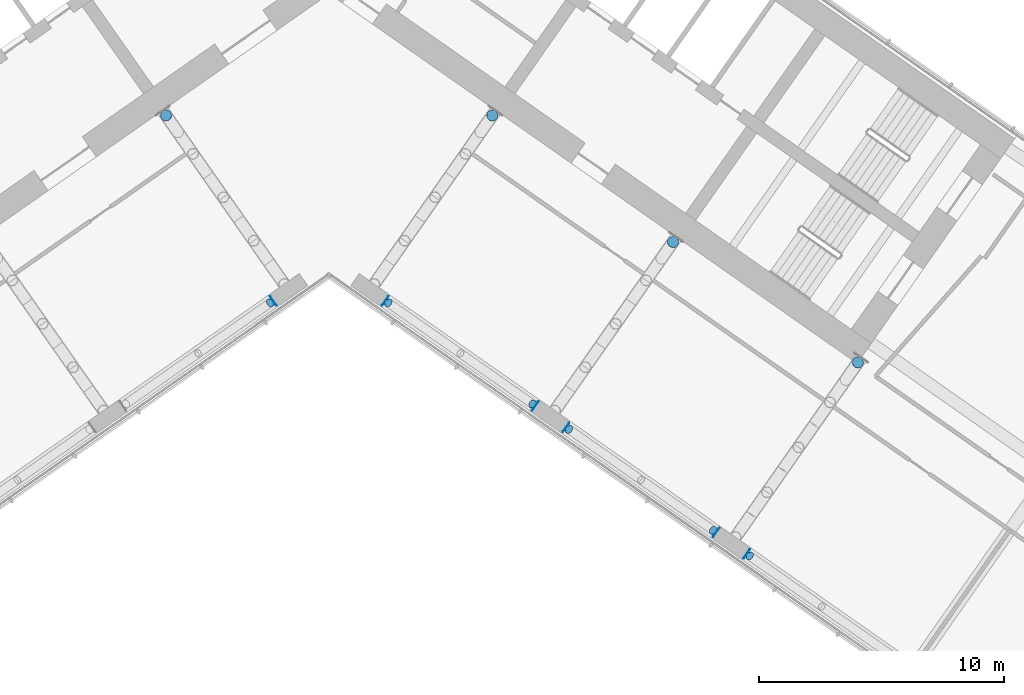
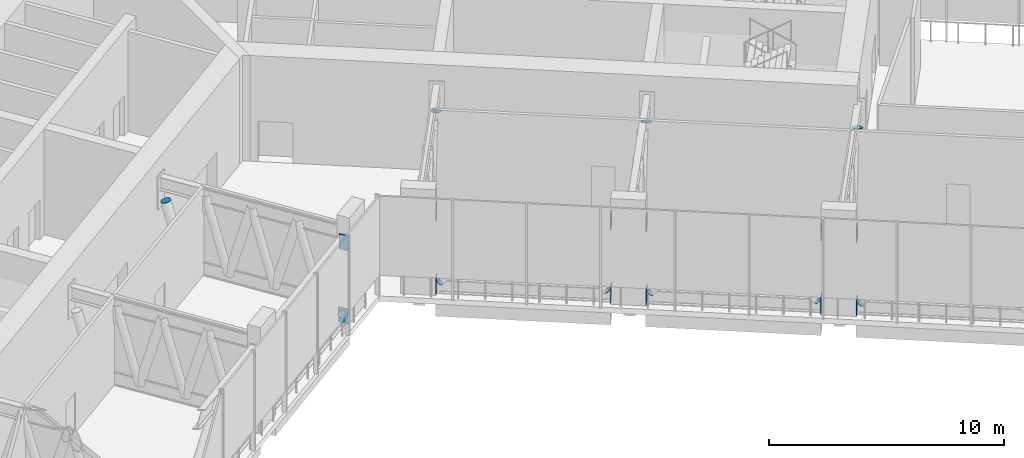
# One storey, part 14 of 24: 22 discrete accessories.
"""IFC4 building model written with IfcOpenShell, lengths in metres."""

import ifcopenshell
import ifcopenshell.guid

model = None  # the IFC model being written
_history = None  # IfcOwnerHistory: only IFC2X3 demands one
_inside = {}  # id of a spatial element -> (the spatial element, [elements in it])
_under = {}  # id of a project, library or spatial element -> (it, [spatial elements below it])
_declared = {}  # id of a project -> (the project, [libraries it declares])
_typed = {}  # id of a type object -> (the type object, [elements of that type])
_made_of = {}  # id of a material, layer set ... -> (it, [elements and type objects made of it])


def new_model(schema):
    """Start an empty IFC model of exactly this schema.

    Asked for "IFC4X3", IfcOpenShell would pick the latest addendum, in which some entities
    have other attributes; the version numbers below select the first issue.
    IFC2X3 requires an IfcOwnerHistory on every rooted entity: one is made here for all.
    """
    global model, _history
    if schema == "IFC4X3":
        model = ifcopenshell.file(schema_version=(4, 3, 0, 0))
    else:
        model = ifcopenshell.file(schema=schema)
    _inside.clear()
    _under.clear()
    _declared.clear()
    _typed.clear()
    _made_of.clear()
    _history = None
    if model.schema == "IFC2X3":
        org = make("IfcOrganization", Name="unknown")
        user = make(
            "IfcPersonAndOrganization",
            ThePerson=make("IfcPerson", FamilyName="unknown"),
            TheOrganization=org,
        )
        app = make(
            "IfcApplication",
            ApplicationDeveloper=org,
            Version="unknown",
            ApplicationFullName="unknown",
            ApplicationIdentifier="unknown",
        )
        _history = make(
            "IfcOwnerHistory",
            OwningUser=user,
            OwningApplication=app,
            ChangeAction="ADDED",
            CreationDate=0,
        )
    return model


def make(cls, **values):
    """One entity of the class cls with the attributes given. An attribute that is None is left unset."""
    return model.create_entity(
        cls, **{name: value for name, value in values.items() if value is not None}
    )


def rooted(cls, **values):
    """An entity with a GlobalId (a new one), such as an element, a storey or a relation."""
    return make(cls, GlobalId=ifcopenshell.guid.new(), OwnerHistory=_history, **values)


def si_unit(unit_type, name, prefix=None):
    """IfcSIUnit, for example si_unit("LENGTHUNIT", "METRE", prefix="MILLI")."""
    return make("IfcSIUnit", UnitType=unit_type, Prefix=prefix, Name=name)


def assignment(units):
    """IfcUnitAssignment: the units of a project."""
    return None if units is None else make("IfcUnitAssignment", Units=units)


def point(xyz):
    """IfcCartesianPoint."""
    return None if xyz is None else make("IfcCartesianPoint", Coordinates=xyz)


def direction(xyz):
    """IfcDirection."""
    return None if xyz is None else make("IfcDirection", DirectionRatios=xyz)


def frame(location, z_axis=None, x_axis=None):
    """IfcAxis2Placement3D, a coordinate frame: its origin and axes. An axis left out is left unset."""
    return make(
        "IfcAxis2Placement3D",
        Location=point(location),
        Axis=direction(z_axis),
        RefDirection=direction(x_axis),
    )


def frame_2d(location, x_axis=None):
    """IfcAxis2Placement2D, a coordinate frame in the plane: its origin and x axis."""
    return make(
        "IfcAxis2Placement2D", Location=point(location), RefDirection=direction(x_axis)
    )


def origin():
    """The frame at (0, 0, 0) with its axes left unset."""
    return frame((0.0, 0.0, 0.0))


def origin_2d():
    """The frame at (0, 0) in the plane with its x axis left unset."""
    return frame_2d((0.0, 0.0))


def place(relative_to, where):
    """IfcLocalPlacement: puts the frame where relative to a parent placement (None: the world)."""
    return make(
        "IfcLocalPlacement", PlacementRelTo=relative_to, RelativePlacement=where
    )


def context(
    kind, dimensions, precision=None, world=None, true_north=None, identifier=None
):
    """IfcGeometricRepresentationContext, for example the 3D "Model" context."""
    return make(
        "IfcGeometricRepresentationContext",
        ContextIdentifier=identifier,
        ContextType=kind,
        CoordinateSpaceDimension=dimensions,
        Precision=precision,
        WorldCoordinateSystem=world,
        TrueNorth=true_north,
    )


def subcontext(parent, identifier, kind, view, scale=None):
    """IfcGeometricRepresentationSubContext, for example "Body" below "Model"."""
    return make(
        "IfcGeometricRepresentationSubContext",
        ContextIdentifier=identifier,
        ContextType=kind,
        ParentContext=parent,
        TargetScale=scale,
        TargetView=view,
    )


def project(units=None, contexts=None):
    """IfcProject with its units and contexts."""
    return rooted(
        "IfcProject",
        Name="project",
        RepresentationContexts=contexts,
        UnitsInContext=assignment(units),
    )


def spatial(cls, under=None, at=None, **own):
    """A site, building, storey or space (cls), placed at a placement, below another one or the project."""
    s = rooted(cls, ObjectPlacement=at, **own)
    if under is not None:
        _under.setdefault(under.id(), (under, []))[1].append(s)
    return s


def profile(cls, at=None, kind="AREA", **sizes):
    """A parametric profile (cls). Its sizes go by their IFC names, for example OverallWidth=200.0."""
    return make(cls, ProfileType=kind, Position=at, **sizes)


def rectangle(**sizes):
    """IfcRectangleProfileDef."""
    return profile("IfcRectangleProfileDef", **sizes)


def circle(**sizes):
    """IfcCircleProfileDef."""
    return profile("IfcCircleProfileDef", **sizes)


def extrude(swept, where, along, depth):
    """IfcExtrudedAreaSolid: the profile swept, set in the frame where, extruded along a direction by depth."""
    return make(
        "IfcExtrudedAreaSolid",
        SweptArea=swept,
        Position=where,
        ExtrudedDirection=direction(along),
        Depth=depth,
    )


def shape(context_of_items, identifier, shape_type, items):
    """IfcShapeRepresentation: the items that make up one representation, for example the "Body"."""
    return make(
        "IfcShapeRepresentation",
        ContextOfItems=context_of_items,
        RepresentationIdentifier=identifier,
        RepresentationType=shape_type,
        Items=items,
    )


def material(Name=None, Category=None):
    """IfcMaterial."""
    return make("IfcMaterial", Name=Name, Category=Category)


def layer(
    of_material, thickness, ventilated=None, Name=None, Category=None, Priority=None
):
    """IfcMaterialLayer: one layer of a wall or slab, of a material (None: an air gap)."""
    return make(
        "IfcMaterialLayer",
        Material=of_material,
        LayerThickness=thickness,
        IsVentilated=ventilated,
        Name=Name,
        Category=Category,
        Priority=Priority,
    )


def layer_set(layers, Name=None):
    """IfcMaterialLayerSet."""
    return make("IfcMaterialLayerSet", MaterialLayers=layers, LayerSetName=Name)


def material_profile(
    of_material, cross_section, Name=None, Category=None, Priority=None
):
    """IfcMaterialProfile: a cross section and its material."""
    return make(
        "IfcMaterialProfile",
        Name=Name,
        Material=of_material,
        Profile=cross_section,
        Priority=Priority,
        Category=Category,
    )


def profile_set(profiles, Name=None, composite=None):
    """IfcMaterialProfileSet."""
    return make(
        "IfcMaterialProfileSet",
        Name=Name,
        MaterialProfiles=profiles,
        CompositeProfile=composite,
    )


def made_of(thing, what):
    """Note that an element or type object is made of a material, layer set ...; save() writes the relation."""
    if what is not None:
        _made_of.setdefault(what.id(), (what, []))[1].append(thing)
    return thing


def type_object(cls, material=None, **own):
    """A type object (cls), such as IfcWallType, which elements share."""
    return made_of(rooted(cls, **own), material)


def element(
    cls,
    number,
    at=None,
    inside=None,
    cuts=None,
    type_object=None,
    material=None,
    context=None,
    identifier="Body",
    shape_type=None,
    held_by="IfcProductDefinitionShape",
    body=None,
    shapes=None,
    **own,
):
    """One element of the class cls, such as IfcWall. Its Tag is "e" and its number.

    at: its placement. inside: the storey or other place that contains it. cuts: it is an
    opening in that element (IfcRelVoidsElement). A single representation is given by context,
    identifier, shape_type and body (its items); several are given by shapes. held_by: the class
    of the entity that holds the representations. save() writes the other relations.
    """
    e = rooted(cls, Tag="e%d" % number, ObjectPlacement=at, **own)
    if body is not None:
        shapes = [shape(context, identifier, shape_type, body)]
    if shapes is not None:
        e.Representation = make(held_by, Representations=shapes)
    if inside is not None:
        _inside.setdefault(inside.id(), (inside, []))[1].append(e)
    if cuts is not None:
        rooted(
            "IfcRelVoidsElement", RelatingBuildingElement=cuts, RelatedOpeningElement=e
        )
    if type_object is not None:
        _typed.setdefault(type_object.id(), (type_object, []))[1].append(e)
    return made_of(e, material)


def aggregate(whole, parts):
    """IfcRelAggregates: a whole, such as a stair, and the parts it consists of."""
    return rooted("IfcRelAggregates", RelatingObject=whole, RelatedObjects=parts)


def save(model, path):
    """Write the relations noted so far, then the file.

    IfcRelAggregates (storeys below a building ...), IfcRelContainedInSpatialStructure (elements
    in a storey), IfcRelDefinesByType, IfcRelAssociatesMaterial and IfcRelDeclares: one each for
    every whole, place, type object, material and project.
    """
    for whole, parts in _under.values():
        aggregate(whole, parts)
    for where, things in _inside.values():
        rooted(
            "IfcRelContainedInSpatialStructure",
            RelatedElements=things,
            RelatingStructure=where,
        )
    for kind, things in _typed.values():
        rooted("IfcRelDefinesByType", RelatedObjects=things, RelatingType=kind)
    for what, things in _made_of.values():
        rooted("IfcRelAssociatesMaterial", RelatedObjects=things, RelatingMaterial=what)
    for by, libraries in _declared.values():
        rooted("IfcRelDeclares", RelatingContext=by, RelatedDefinitions=libraries)
    model.write(path)


model = new_model("IFC4")

# Units and contexts
model_context = context("Model", 3, precision=1e-05, world=origin(), true_north=direction((0.0, 1.0)))
body_context = subcontext(model_context, "Body", "Model", "MODEL_VIEW")
ifc_project = project(units=[si_unit("LENGTHUNIT", "METRE"), si_unit("AREAUNIT", "SQUARE_METRE"), si_unit("VOLUMEUNIT", "CUBIC_METRE"), si_unit("PLANEANGLEUNIT", "RADIAN"), si_unit("MASSUNIT", "GRAM", prefix="KILO")], contexts=[model_context])

# Site, building, storey
site_placement = place(None, origin())
site = spatial("IfcSite", under=ifc_project, at=site_placement, CompositionType="ELEMENT")
building_placement = place(site_placement, origin())
building = spatial("IfcBuilding", under=site, at=building_placement, Name="Tel Ilan Convention Tower", CompositionType="ELEMENT")
storey_placement = place(building_placement, frame((0.0, 0.0, 126.5)))
storey = spatial("IfcBuildingStorey", under=building, at=storey_placement, Name="L28", CompositionType="ELEMENT", Elevation=126.5)

# Discrete accessories
ifc_material_1 = material(Name="Steel S355", Category="steel")
ifc_material_profile_1 = material_profile(ifc_material_1, circle(Radius=0.177734375, at=origin_2d()), Name="End Cap Disc 356 mm Steel S355")
ifc_profile_set_1 = profile_set([ifc_material_profile_1], Name="Steel S355")
discrete_accessory_type_1 = type_object("IfcDiscreteAccessoryType", Name="End Cap Disc 356 mm Steel S355", PredefinedType="BRACKET", material=ifc_profile_set_1)
for number, where, z_axis, x_axis, name in (
    (1, (-2.41552734375, -13.838134765625, 0.51904296875), (0.57084084584, 0.400803147079, -0.716587444777), (-0.574630421476, 0.818413024526, 0.0), "L28 W-F1-W-F2 belt end cap"),
    (2, (2.41552734375, -13.838134765625, 0.51904296875), (-0.57084084584, 0.400803147079, -0.716587444777), (-0.574630421476, -0.818413024526, 0.0), "L28 E-F1-E-F2 belt end cap"),
    (3, (8.287353515625, -17.94970703125, 0.51904296875), (0.573597420318, -0.390534413834, -0.720047825506), (0.562790977082, 0.826599247589, 0.0), "L28 E-F1-E-F2 belt end cap"),
    (4, (9.787841796875, -19.000244140625, 0.51904296875), (-0.57084084584, 0.400803147079, -0.716587444777), (-0.574630421476, -0.818413024526, 0.0), "L28 E-F2-E-F3 belt end cap"),
    (5, (15.659912109375, -23.11181640625, 0.51904296875), (0.562567508496, -0.403581038704, -0.721553978288), (0.582907875452, 0.81253825063, 0.0), "L28 E-F2-E-F3 belt end cap"),
):
    element("IfcDiscreteAccessory", number, at=place(storey_placement, frame(where, z_axis=z_axis, x_axis=x_axis)), inside=storey, type_object=discrete_accessory_type_1, Name=name, PredefinedType="BRACKET", context=body_context, shape_type="SweptSolid", body=[
        extrude(circle(Radius=0.177734375, at=origin_2d()), origin(), (0.0, 0.0, 1.0), 0.02001953125),
    ])
discrete_accessory_1_placement = place(storey_placement, frame((17.160400390625, -24.16259765625, 0.51904296875), z_axis=(-0.576142901161, 0.408101221656, -0.708175649344), x_axis=(-0.57801734078, -0.816024481102, 0.0)))
element("IfcDiscreteAccessory", 6, at=discrete_accessory_1_placement, inside=storey, type_object=discrete_accessory_type_1, Name="L28 E-F3-E-F4 belt end cap", PredefinedType="BRACKET", context=body_context, shape_type="SweptSolid", body=[
    extrude(circle(Radius=0.177734375, at=origin_2d()), origin(), (0.0, 0.0, 1.0), 0.020263671875),
])
ifc_material_2 = material(Name="Steel S355", Category="steel")
ifc_material_profile_2 = material_profile(ifc_material_2, circle(Radius=0.228515625, at=origin_2d()), Name="End Cap Disc 457 mm Steel S355")
ifc_profile_set_2 = profile_set([ifc_material_profile_2], Name="Steel S355")
discrete_accessory_type_2 = type_object("IfcDiscreteAccessoryType", Name="End Cap Disc 457 mm Steel S355", PredefinedType="BRACKET", material=ifc_profile_set_2)
for number, where, z_axis, x_axis, name in (
    (7, (-6.65234375, -6.1904296875, 3.26806640625), (-0.16029849001, 0.221951755398, 0.961790940057), (-0.8106792284, -0.585490553844, 0.0), "L28 W-F1 outrigger end cap"),
    (8, (6.65234375, -6.1904296875, 3.26806640625), (0.16029849001, 0.221951755398, 0.961790940057), (-0.8106792284, 0.585490553844, 0.0), "L28 E-F1 outrigger end cap"),
    (9, (14.024658203125, -11.352783203125, 3.26806640625), (0.159849490745, 0.233626178782, 0.959096944472), (-0.82530726125, 0.564683915592, 0.0), "L28 E-F2 outrigger end cap"),
):
    element("IfcDiscreteAccessory", number, at=place(storey_placement, frame(where, z_axis=z_axis, x_axis=x_axis)), inside=storey, type_object=discrete_accessory_type_2, Name=name, PredefinedType="BRACKET", context=body_context, shape_type="SweptSolid", body=[
        extrude(circle(Radius=0.228515625, at=origin_2d()), origin(), (0.0, 0.0, 1.0), 0.019775390625),
    ])
discrete_accessory_2_placement = place(storey_placement, frame((21.5693359375, -16.268798828125, 3.299560546875), z_axis=(0.157985396841, 0.230901733845, 0.960065103882), x_axis=(-0.82530726125, 0.564683915592, 0.0)))
element("IfcDiscreteAccessory", 10, at=discrete_accessory_2_placement, inside=storey, type_object=discrete_accessory_type_2, Name="L28 E-F3 outrigger end cap", PredefinedType="BRACKET", context=body_context, shape_type="SweptSolid", body=[
    extrude(circle(Radius=0.228515625, at=origin_2d()), origin(), (0.0, 0.0, 1.0), 0.02001953125),
])
ifc_material_3 = material(Name="Steel S355", Category="steel")
ifc_layer = layer(ifc_material_3, 0.02490234375)
ifc_layer_set = layer_set([ifc_layer], Name="End Plate 25 mm Steel S355")
discrete_accessory_type_3 = type_object("IfcDiscreteAccessoryType", Name="End Plate 25 mm Steel S355", PredefinedType="BRACKET", material=ifc_layer_set)
discrete_accessory_3_placement = place(storey_placement, frame((-2.289794921875, -13.75, -0.0498046875), z_axis=(0.0, 0.0, 1.0), x_axis=(0.819152044289, 0.573576436351, 0.0)))
element("IfcDiscreteAccessory", 11, at=discrete_accessory_3_placement, inside=storey, type_object=discrete_accessory_type_3, Name="L28 W-F1-W-F2 belt end plate", PredefinedType="BRACKET", context=body_context, shape_type="SweptSolid", body=[
    extrude(rectangle(XDim=0.02490234375, YDim=0.45556640625, at=origin_2d()), origin(), (0.0, 0.0, 1.0), 0.800048828125),
])
discrete_accessory_4_placement = place(storey_placement, frame((-2.289794921875, -13.75, 3.77001953125), z_axis=(0.0, 0.0, 1.0), x_axis=(0.819152044289, 0.573576436351, 0.0)))
element("IfcDiscreteAccessory", 12, at=discrete_accessory_4_placement, inside=storey, type_object=discrete_accessory_type_3, Name="L28 W-F1-W-F2 belt end plate", PredefinedType="BRACKET", context=body_context, shape_type="SweptSolid", body=[
    extrude(rectangle(XDim=0.02490234375, YDim=0.39990234375, at=origin_2d()), origin(), (0.0, 0.0, 1.0), 0.800048828125),
])
discrete_accessory_5_placement = place(storey_placement, frame((2.289794921875, -13.75, -0.0498046875), z_axis=(0.0, 0.0, 1.0), x_axis=(-0.819152044289, 0.573576436351, 0.0)))
element("IfcDiscreteAccessory", 13, at=discrete_accessory_5_placement, inside=storey, type_object=discrete_accessory_type_3, Name="L28 E-F1-E-F2 belt end plate", PredefinedType="BRACKET", context=body_context, shape_type="SweptSolid", body=[
    extrude(rectangle(XDim=0.02490234375, YDim=0.45556640625, at=origin_2d()), origin(), (0.0, 0.0, 1.0), 0.800048828125),
])
discrete_accessory_6_placement = place(storey_placement, frame((2.289794921875, -13.75, 3.77001953125), z_axis=(0.0, 0.0, 1.0), x_axis=(-0.819152044289, 0.573576436351, 0.0)))
element("IfcDiscreteAccessory", 14, at=discrete_accessory_6_placement, inside=storey, type_object=discrete_accessory_type_3, Name="L28 E-F1-E-F2 belt end plate", PredefinedType="BRACKET", context=body_context, shape_type="SweptSolid", body=[
    extrude(rectangle(XDim=0.02490234375, YDim=0.39990234375, at=origin_2d()), origin(), (0.0, 0.0, 1.0), 0.800048828125),
])
discrete_accessory_7_placement = place(storey_placement, frame((8.4130859375, -18.03759765625, -0.0498046875), z_axis=(0.0, 0.0, 1.0), x_axis=(0.819152044289, -0.573576436351, 0.0)))
element("IfcDiscreteAccessory", 15, at=discrete_accessory_7_placement, inside=storey, type_object=discrete_accessory_type_3, Name="L28 E-F1-E-F2 belt end plate", PredefinedType="BRACKET", context=body_context, shape_type="SweptSolid", body=[
    extrude(rectangle(XDim=0.02490234375, YDim=0.45556640625, at=origin_2d()), origin(), (0.0, 0.0, 1.0), 0.800048828125),
])
discrete_accessory_8_placement = place(storey_placement, frame((8.4130859375, -18.03759765625, 3.77001953125), z_axis=(0.0, 0.0, 1.0), x_axis=(0.819152044289, -0.573576436351, 0.0)))
element("IfcDiscreteAccessory", 16, at=discrete_accessory_8_placement, inside=storey, type_object=discrete_accessory_type_3, Name="L28 E-F1-E-F2 belt end plate", PredefinedType="BRACKET", context=body_context, shape_type="SweptSolid", body=[
    extrude(rectangle(XDim=0.02490234375, YDim=0.39990234375, at=origin_2d()), origin(), (0.0, 0.0, 1.0), 0.800048828125),
])
discrete_accessory_9_placement = place(storey_placement, frame((9.662353515625, -18.912353515625, -0.0498046875), z_axis=(0.0, 0.0, 1.0), x_axis=(-0.819152044289, 0.573576436351, 0.0)))
element("IfcDiscreteAccessory", 17, at=discrete_accessory_9_placement, inside=storey, type_object=discrete_accessory_type_3, Name="L28 E-F2-E-F3 belt end plate", PredefinedType="BRACKET", context=body_context, shape_type="SweptSolid", body=[
    extrude(rectangle(XDim=0.02490234375, YDim=0.45556640625, at=origin_2d()), origin(), (0.0, 0.0, 1.0), 0.800048828125),
])
discrete_accessory_10_placement = place(storey_placement, frame((9.662353515625, -18.912353515625, 3.77001953125), z_axis=(0.0, 0.0, 1.0), x_axis=(-0.819152044289, 0.573576436351, 0.0)))
element("IfcDiscreteAccessory", 18, at=discrete_accessory_10_placement, inside=storey, type_object=discrete_accessory_type_3, Name="L28 E-F2-E-F3 belt end plate", PredefinedType="BRACKET", context=body_context, shape_type="SweptSolid", body=[
    extrude(rectangle(XDim=0.02490234375, YDim=0.39990234375, at=origin_2d()), origin(), (0.0, 0.0, 1.0), 0.800048828125),
])
discrete_accessory_11_placement = place(storey_placement, frame((15.785400390625, -23.19970703125, -0.0498046875), z_axis=(0.0, 0.0, 1.0), x_axis=(0.819152044289, -0.573576436351, 0.0)))
element("IfcDiscreteAccessory", 19, at=discrete_accessory_11_placement, inside=storey, type_object=discrete_accessory_type_3, Name="L28 E-F2-E-F3 belt end plate", PredefinedType="BRACKET", context=body_context, shape_type="SweptSolid", body=[
    extrude(rectangle(XDim=0.02490234375, YDim=0.45556640625, at=origin_2d()), origin(), (0.0, 0.0, 1.0), 0.800048828125),
])
discrete_accessory_12_placement = place(storey_placement, frame((15.785400390625, -23.19970703125, 3.77001953125), z_axis=(0.0, 0.0, 1.0), x_axis=(0.819152044289, -0.573576436351, 0.0)))
element("IfcDiscreteAccessory", 20, at=discrete_accessory_12_placement, inside=storey, type_object=discrete_accessory_type_3, Name="L28 E-F2-E-F3 belt end plate", PredefinedType="BRACKET", context=body_context, shape_type="SweptSolid", body=[
    extrude(rectangle(XDim=0.02490234375, YDim=0.39990234375, at=origin_2d()), origin(), (0.0, 0.0, 1.0), 0.800048828125),
])
discrete_accessory_13_placement = place(storey_placement, frame((17.03466796875, -24.074462890625, -0.0498046875), z_axis=(0.0, 0.0, 1.0), x_axis=(-0.819152044289, 0.573576436351, 0.0)))
element("IfcDiscreteAccessory", 21, at=discrete_accessory_13_placement, inside=storey, type_object=discrete_accessory_type_3, Name="L28 E-F3-E-F4 belt end plate", PredefinedType="BRACKET", context=body_context, shape_type="SweptSolid", body=[
    extrude(rectangle(XDim=0.02490234375, YDim=0.45556640625, at=origin_2d()), origin(), (0.0, 0.0, 1.0), 0.800048828125),
])
discrete_accessory_14_placement = place(storey_placement, frame((17.03466796875, -24.074462890625, 3.77001953125), z_axis=(0.0, 0.0, 1.0), x_axis=(-0.819152044289, 0.573576436351, 0.0)))
element("IfcDiscreteAccessory", 22, at=discrete_accessory_14_placement, inside=storey, type_object=discrete_accessory_type_3, Name="L28 E-F3-E-F4 belt end plate", PredefinedType="BRACKET", context=body_context, shape_type="SweptSolid", body=[
    extrude(rectangle(XDim=0.02490234375, YDim=0.39990234375, at=origin_2d()), origin(), (0.0, 0.0, 1.0), 0.800048828125),
])

save(model, "model.ifc")
